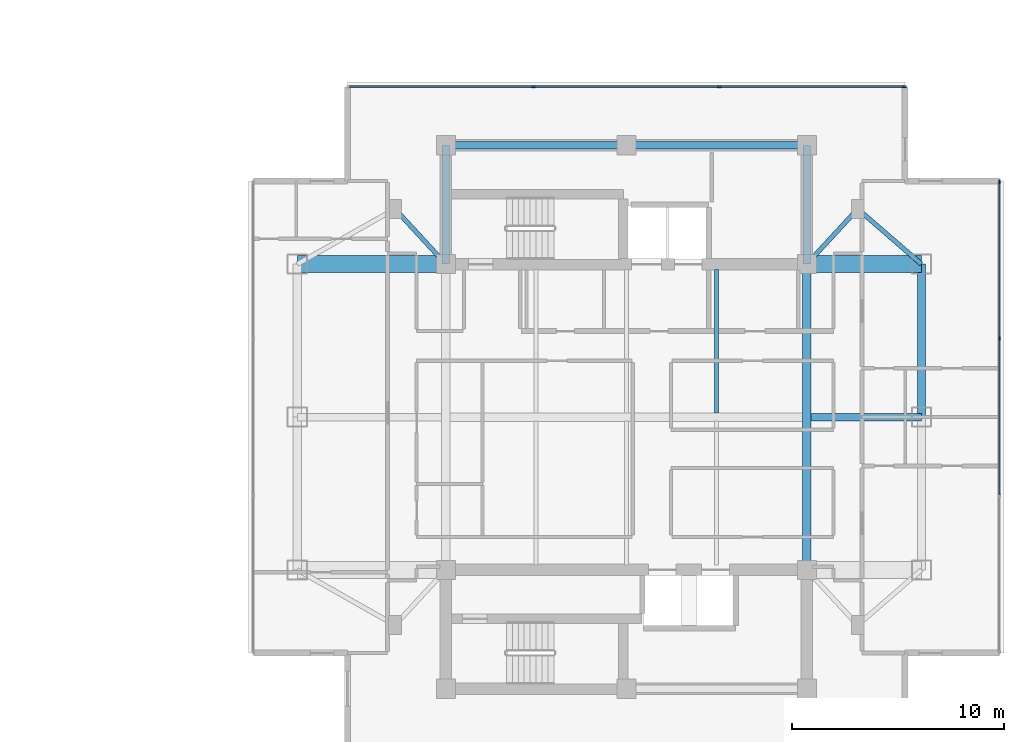
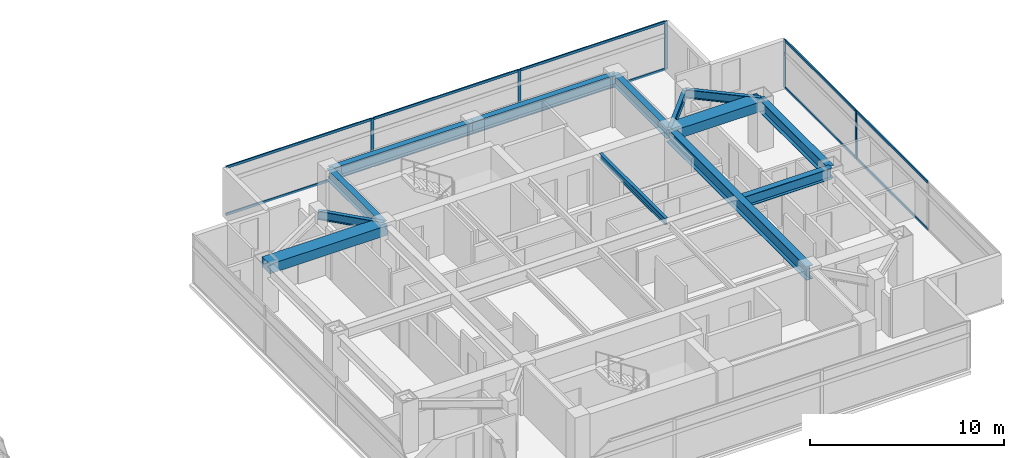
# One storey, part 10 of 24: 15 members, 13 beams, 2 elements without a shape of their own.
"""IFC4 building model written with IfcOpenShell, lengths in metres."""

from ifc_helpers import new_model, si_unit, direction, frame, origin, origin_2d, place, context, subcontext, project, spatial, rectangle, i_section, extrude, material, material_profile, profile_set, type_object, element, aggregate, save


model = new_model("IFC4")

# Units and contexts
model_context = context("Model", 3, precision=1e-05, world=origin(), true_north=direction((0.0, 1.0)))
body_context = subcontext(model_context, "Body", "Model", "MODEL_VIEW")
ifc_project = project(units=[si_unit("LENGTHUNIT", "METRE"), si_unit("AREAUNIT", "SQUARE_METRE"), si_unit("VOLUMEUNIT", "CUBIC_METRE"), si_unit("PLANEANGLEUNIT", "RADIAN"), si_unit("MASSUNIT", "GRAM", prefix="KILO")], contexts=[model_context])

# Site, building, storey
site_placement = place(None, origin())
site = spatial("IfcSite", under=ifc_project, at=site_placement, CompositionType="ELEMENT")
building_placement = place(site_placement, origin())
building = spatial("IfcBuilding", under=site, at=building_placement, Name="Mirazonda Arch Towers", CompositionType="ELEMENT")
storey_placement = place(building_placement, frame((0.0, 0.0, 199.89990234375)))
storey = spatial("IfcBuildingStorey", under=building, at=storey_placement, Name="L57", CompositionType="ELEMENT", Elevation=199.89990234375)

# Beams
ifc_material_1 = material(Name="Steel ASTM A992 Grade 50", Category="steel")
ifc_material_profile_1 = material_profile(ifc_material_1, i_section(OverallWidth=0.381103515625, OverallDepth=0.77294921875, WebThickness=0.0166015625, FlangeThickness=0.027099609375, at=origin_2d()), Name="W30X173")
ifc_profile_set_1 = profile_set([ifc_material_profile_1], Name="Steel ASTM A992 Grade 50")
beam_type_1 = type_object("IfcBeamType", Name="BM-EXT-W30X173", PredefinedType="USERDEFINED", material=ifc_profile_set_1)
beam_1_placement = place(storey_placement, frame((90.39990234375, 28.0, 2.66357421875), z_axis=(0.0, 1.0, 0.0), x_axis=(-1.0, 0.0, 0.0)))
element("IfcBeam", 1, at=beam_1_placement, inside=storey, type_object=beam_type_1, Name="L57 Floor Beam BM-T2-L57-NS-E-28", ObjectType="GIRDER", PredefinedType="USERDEFINED", context=body_context, shape_type="SweptSolid", body=[
    extrude(i_section(OverallWidth=0.381103515625, OverallDepth=0.77294921875, WebThickness=0.0166015625, FlangeThickness=0.027099609375, at=origin_2d()), origin(), (0.0, 0.0, 1.0), 7.199951171875),
])
ifc_material_profile_2 = material_profile(ifc_material_1, i_section(OverallWidth=0.180908203125, OverallDepth=0.4169921875, WebThickness=0.010986328125, FlangeThickness=0.018310546875, at=origin_2d()), Name="W16X57")
ifc_profile_set_2 = profile_set([ifc_material_profile_2], Name="Steel ASTM A992 Grade 50")
beam_type_2 = type_object("IfcBeamType", Name="BM-INT-W16X57", PredefinedType="JOIST", material=ifc_profile_set_2)
beam_2_placement = place(storey_placement, frame((80.75, 28.196044921875, 2.841552734375), z_axis=(0.0, 1.0, 0.0), x_axis=(-1.0, 0.0, 0.0)))
element("IfcBeam", 2, at=beam_2_placement, inside=storey, type_object=beam_type_2, Name="L57 Floor Beam BM-T2-L57-J-807-28", PredefinedType="JOIST", context=body_context, shape_type="SweptSolid", body=[
    extrude(i_section(OverallWidth=0.180908203125, OverallDepth=0.4169921875, WebThickness=0.010986328125, FlangeThickness=0.018310546875, at=origin_2d()), origin(), (0.0, 0.0, 1.0), 6.763916015625),
])
ifc_material_profile_3 = material_profile(ifc_material_1, i_section(OverallWidth=0.214111328125, OverallDepth=0.549072265625, WebThickness=0.0146484375, FlangeThickness=0.023681640625, at=origin_2d()), Name="W21X93")
ifc_profile_set_3 = profile_set([ifc_material_profile_3], Name="Steel ASTM A992 Grade 50")
beam_type_3 = type_object("IfcBeamType", Name="BM-INT-W21X93", PredefinedType="BEAM", material=ifc_profile_set_3)
for number, where, z_axis, x_axis, name in (
    (3, (65.60009765625, 37.800048828125, 2.775634765625), (0.678251444854, -0.734829897019, 0.0), (0.734829897019, 0.678251444854, 0.0), "L57 Floor Beam BM-T2-L57-PL-NW1"),
    (4, (87.39990234375, 37.800048828125, 2.775634765625), (-0.678251444854, -0.734829897019, 0.0), (0.734829897019, -0.678251444854, 0.0), "L57 Floor Beam BM-T2-L57-PL-NE1"),
):
    element("IfcBeam", number, at=place(storey_placement, frame(where, z_axis=z_axis, x_axis=x_axis)), inside=storey, type_object=beam_type_3, Name=name, PredefinedType="BEAM", context=body_context, shape_type="SweptSolid", body=[
        extrude(i_section(OverallWidth=0.214111328125, OverallDepth=0.549072265625, WebThickness=0.0146484375, FlangeThickness=0.023681640625, at=origin_2d()), origin(), (0.0, 0.0, 1.0), 3.538330078125),
    ])
beam_3_placement = place(storey_placement, frame((87.39990234375, 37.800048828125, 2.775634765625), z_axis=(0.755676908098, -0.654944585876, 0.0), x_axis=(0.654944585876, 0.755676908098, 0.0)))
element("IfcBeam", 5, at=beam_3_placement, inside=storey, type_object=beam_type_3, Name="L57 Floor Beam BM-T2-L57-PL-NE2", PredefinedType="BEAM", context=body_context, shape_type="SweptSolid", body=[
    extrude(i_section(OverallWidth=0.214111328125, OverallDepth=0.549072265625, WebThickness=0.0146484375, FlangeThickness=0.023681640625, at=origin_2d()), origin(), (0.0, 0.0, 1.0), 3.969970703125),
])
ifc_material_profile_4 = material_profile(ifc_material_1, i_section(OverallWidth=0.35498046875, OverallDepth=0.696044921875, WebThickness=0.015380859375, FlangeThickness=0.02490234375, at=origin_2d()), Name="W27X146")
ifc_profile_set_4 = profile_set([ifc_material_profile_4], Name="Steel ASTM A992 Grade 50")
beam_type_4 = type_object("IfcBeamType", Name="BM-INT-W27X146", PredefinedType="BEAM", material=ifc_profile_set_4)
for number, where, z_axis, x_axis, name in (
    (6, (68.0, 40.800048828125, 2.7021484375), (1.0, 0.0, 0.0), (0.0, 1.0, 0.0), "L57 Floor Beam BM-T2-L57-CN1"),
    (7, (76.5, 40.800048828125, 2.7021484375), (1.0, 0.0, 0.0), (0.0, 1.0, 0.0), "L57 Floor Beam BM-T2-L57-CN2"),
):
    element("IfcBeam", number, at=place(storey_placement, frame(where, z_axis=z_axis, x_axis=x_axis)), inside=storey, type_object=beam_type_4, Name=name, PredefinedType="BEAM", context=body_context, shape_type="SweptSolid", body=[
        extrude(i_section(OverallWidth=0.35498046875, OverallDepth=0.696044921875, WebThickness=0.015380859375, FlangeThickness=0.02490234375, at=origin_2d()), origin(), (0.0, 0.0, 1.0), 8.5),
    ])
for number, where, z_axis, x_axis, name in (
    (8, (68.0, 35.199951171875, 2.7021484375), (0.0, 1.0, 0.0), (-1.0, 0.0, 0.0), "L57 Floor Beam BM-T2-L57-CNW"),
    (9, (85.0, 35.199951171875, 2.7021484375), (0.0, 1.0, 0.0), (-1.0, 0.0, 0.0), "L57 Floor Beam BM-T2-L57-CNE"),
):
    element("IfcBeam", number, at=place(storey_placement, frame(where, z_axis=z_axis, x_axis=x_axis)), inside=storey, type_object=beam_type_4, Name=name, PredefinedType="BEAM", context=body_context, shape_type="SweptSolid", body=[
        extrude(i_section(OverallWidth=0.35498046875, OverallDepth=0.696044921875, WebThickness=0.015380859375, FlangeThickness=0.02490234375, at=origin_2d()), origin(), (0.0, 0.0, 1.0), 5.60009765625),
    ])
beam_4_placement = place(storey_placement, frame((85.199951171875, 28.0, 2.7021484375), z_axis=(1.0, 0.0, 0.0), x_axis=(0.0, 1.0, 0.0)))
element("IfcBeam", 10, at=beam_4_placement, inside=storey, type_object=beam_type_4, Name="L57 Floor Beam BM-T2-L57-GE2", PredefinedType="BEAM", context=body_context, shape_type="SweptSolid", body=[
    extrude(i_section(OverallWidth=0.35498046875, OverallDepth=0.696044921875, WebThickness=0.015380859375, FlangeThickness=0.02490234375, at=origin_2d()), origin(), (0.0, 0.0, 1.0), 5.199951171875),
])
ifc_material_profile_5 = material_profile(ifc_material_1, i_section(OverallWidth=0.39990234375, OverallDepth=0.85595703125, WebThickness=0.018310546875, FlangeThickness=0.029296875, at=origin_2d()), Name="W33X201")
ifc_profile_set_5 = profile_set([ifc_material_profile_5], Name="Steel ASTM A992 Grade 50")
beam_type_5 = type_object("IfcBeamType", Name="BM-INT-W33X201", PredefinedType="USERDEFINED", material=ifc_profile_set_5)
beam_5_placement = place(storey_placement, frame((85.0, 20.800048828125, 2.6220703125), z_axis=(0.0, 1.0, 0.0), x_axis=(-1.0, 0.0, 0.0)))
element("IfcBeam", 11, at=beam_5_placement, inside=storey, type_object=beam_type_5, Name="L57 Floor Beam BM-T2-L57-NS-CE-FULL", ObjectType="GIRDER", PredefinedType="USERDEFINED", context=body_context, shape_type="SweptSolid", body=[
    extrude(i_section(OverallWidth=0.39990234375, OverallDepth=0.85595703125, WebThickness=0.018310546875, FlangeThickness=0.029296875, at=origin_2d()), origin(), (0.0, 0.0, 1.0), 14.39990234375),
])
ifc_material_2 = material(Name="Concrete C60/75", Category="concrete")
ifc_material_profile_6 = material_profile(ifc_material_2, rectangle(XDim=0.800048828125, YDim=0.60009765625, at=origin_2d()), Name="RCCB800x600")
ifc_profile_set_6 = profile_set([ifc_material_profile_6], Name="Concrete C60/75")
beam_type_6 = type_object("IfcBeamType", Name="CB-INT-RCCB800x600", PredefinedType="SPANDREL", material=ifc_profile_set_6)
beam_6_placement = place(storey_placement, frame((61.0, 35.199951171875, 2.75), z_axis=(1.0, 0.0, 0.0), x_axis=(0.0, 1.0, 0.0)))
element("IfcBeam", 12, at=beam_6_placement, inside=storey, type_object=beam_type_6, Name="L57 Floor Beam CBC-T2-L57-NW", PredefinedType="SPANDREL", context=body_context, shape_type="SweptSolid", body=[
    extrude(rectangle(XDim=0.800048828125, YDim=0.60009765625, at=origin_2d()), origin(), (0.0, 0.0, 1.0), 7.0),
])
beam_7_placement = place(storey_placement, frame((85.0, 35.199951171875, 2.75), z_axis=(1.0, 0.0, 0.0), x_axis=(0.0, 1.0, 0.0)))
element("IfcBeam", 13, at=beam_7_placement, inside=storey, type_object=beam_type_6, Name="L57 Floor Beam CBC-T2-L57-NE", PredefinedType="SPANDREL", context=body_context, shape_type="SweptSolid", body=[
    extrude(rectangle(XDim=0.800048828125, YDim=0.60009765625, at=origin_2d()), origin(), (0.0, 0.0, 1.0), 5.39990234375),
])

# Curtain wall, members
ifc_material_3 = material(Name="Anodised Aluminium and Low-E Glass", Category="aluminium")
curtain_wall_type = type_object("IfcCurtainWallType", Name="CW-RES-UNIT", PredefinedType="NOTDEFINED", material=ifc_material_3)
curtain_wall_1_placement = place(storey_placement, origin())
curtain_wall_1 = element("IfcCurtainWall", 14, at=curtain_wall_1_placement, inside=storey, type_object=curtain_wall_type, Name="L57 T2 E Facade CW-L57-T2-E", PredefinedType="NOTDEFINED")
ifc_material_4 = material(Name="Anodised Aluminium Alloy", Category="aluminium")
ifc_material_profile_7 = material_profile(ifc_material_4, rectangle(XDim=0.074951171875, YDim=0.175048828125, at=origin_2d()), Name="ALU-MULL-75x175")
ifc_profile_set_7 = profile_set([ifc_material_profile_7], Name="Anodised Aluminium Alloy")
member_type_1 = type_object("IfcMemberType", Name="MULL-CW-RES-UNIT", PredefinedType="MULLION", material=ifc_profile_set_7)
member_1_placement = place(storey_placement, frame((94.0673828125, 31.705078125, 0.0), z_axis=(0.0, 0.0, 1.0), x_axis=(-1.0, 0.0, 0.0)))
member_1 = element("IfcMember", 15, at=member_1_placement, type_object=member_type_1, Name="CW-104 mullion 3", PredefinedType="MULLION", context=body_context, shape_type="SweptSolid", body=[
    extrude(rectangle(XDim=0.074951171875, YDim=0.175048828125, at=origin_2d()), origin(), (0.0, 0.0, 1.0), 3.030029296875),
])
member_2_placement = place(storey_placement, frame((94.0673828125, 39.077880859375, 0.0), z_axis=(0.0, 0.0, 1.0), x_axis=(-1.0, 0.0, 0.0)))
member_2 = element("IfcMember", 16, at=member_2_placement, type_object=member_type_1, Name="CW-104 mullion 4", PredefinedType="MULLION", context=body_context, shape_type="SweptSolid", body=[
    extrude(rectangle(XDim=0.074951171875, YDim=0.175048828125, at=origin_2d()), origin(), (0.0, 0.0, 1.0), 3.030029296875),
])

curtain_wall_2_placement = place(storey_placement, origin())
curtain_wall_2 = element("IfcCurtainWall", 17, at=curtain_wall_2_placement, inside=storey, type_object=curtain_wall_type, Name="L57 T2 N Facade CW-L57-T2-N", PredefinedType="NOTDEFINED")
member_3_placement = place(storey_placement, frame((72.1240234375, 43.554931640625, 0.0), z_axis=(0.0, 0.0, 1.0), x_axis=(0.0, 1.0, 0.0)))
member_3 = element("IfcMember", 18, at=member_3_placement, type_object=member_type_1, Name="CW-104 mullion 2", PredefinedType="MULLION", context=body_context, shape_type="SweptSolid", body=[
    extrude(rectangle(XDim=0.074951171875, YDim=0.175048828125, at=origin_2d()), origin(), (0.0, 0.0, 1.0), 3.030029296875),
])
member_4_placement = place(storey_placement, frame((80.8759765625, 43.554931640625, 0.0), z_axis=(0.0, 0.0, 1.0), x_axis=(0.0, 1.0, 0.0)))
member_4 = element("IfcMember", 19, at=member_4_placement, type_object=member_type_1, Name="CW-104 mullion 3", PredefinedType="MULLION", context=body_context, shape_type="SweptSolid", body=[
    extrude(rectangle(XDim=0.074951171875, YDim=0.175048828125, at=origin_2d()), origin(), (0.0, 0.0, 1.0), 3.030029296875),
])
member_5_placement = place(storey_placement, frame((89.59033203125, 43.554931640625, 0.0), z_axis=(0.0, 0.0, 1.0), x_axis=(0.0, 1.0, 0.0)))
member_5 = element("IfcMember", 20, at=member_5_placement, type_object=member_type_1, Name="CW-104 mullion 4", PredefinedType="MULLION", context=body_context, shape_type="SweptSolid", body=[
    extrude(rectangle(XDim=0.074951171875, YDim=0.175048828125, at=origin_2d()), origin(), (0.0, 0.0, 1.0), 3.030029296875),
])

# Member
ifc_material_profile_8 = material_profile(ifc_material_4, rectangle(XDim=0.074951171875, YDim=0.155029296875, at=origin_2d()), Name="ALU-TRAN-75x155")
ifc_profile_set_8 = profile_set([ifc_material_profile_8], Name="Anodised Aluminium Alloy")
member_type_2 = type_object("IfcMemberType", Name="TRAN-CW-RES-UNIT", PredefinedType="USERDEFINED", material=ifc_profile_set_8)
member_6_placement = place(storey_placement, frame((94.0673828125, 24.33251953125, 0.03759765625), z_axis=(0.0, 1.0, 0.0), x_axis=(-1.0, 0.0, 0.0)))
member_6 = element("IfcMember", 21, at=member_6_placement, type_object=member_type_2, Name="CW-104 transom 2.1", ObjectType="TRANSOM", PredefinedType="USERDEFINED", context=body_context, shape_type="SweptSolid", body=[
    extrude(rectangle(XDim=0.074951171875, YDim=0.155029296875, at=origin_2d()), origin(), (0.0, 0.0, 1.0), 7.3349609375),
])

member_7_placement = place(storey_placement, frame((94.0673828125, 24.33251953125, 2.99267578125), z_axis=(0.0, 1.0, 0.0), x_axis=(-1.0, 0.0, 0.0)))
member_7 = element("IfcMember", 22, at=member_7_placement, type_object=member_type_2, Name="CW-104 transom 2.2", ObjectType="TRANSOM", PredefinedType="USERDEFINED", context=body_context, shape_type="SweptSolid", body=[
    extrude(rectangle(XDim=0.074951171875, YDim=0.155029296875, at=origin_2d()), origin(), (0.0, 0.0, 1.0), 7.3349609375),
])

member_8_placement = place(storey_placement, frame((94.0673828125, 31.74267578125, 0.03759765625), z_axis=(0.0, 1.0, 0.0), x_axis=(-1.0, 0.0, 0.0)))
member_8 = element("IfcMember", 23, at=member_8_placement, type_object=member_type_2, Name="CW-104 transom 3.1", ObjectType="TRANSOM", PredefinedType="USERDEFINED", context=body_context, shape_type="SweptSolid", body=[
    extrude(rectangle(XDim=0.074951171875, YDim=0.155029296875, at=origin_2d()), origin(), (0.0, 0.0, 1.0), 7.297607421875),
])

member_9_placement = place(storey_placement, frame((94.0673828125, 31.74267578125, 2.99267578125), z_axis=(0.0, 1.0, 0.0), x_axis=(-1.0, 0.0, 0.0)))
member_9 = element("IfcMember", 24, at=member_9_placement, type_object=member_type_2, Name="CW-104 transom 3.2", ObjectType="TRANSOM", PredefinedType="USERDEFINED", context=body_context, shape_type="SweptSolid", body=[
    extrude(rectangle(XDim=0.074951171875, YDim=0.155029296875, at=origin_2d()), origin(), (0.0, 0.0, 1.0), 7.297607421875),
])

aggregate(curtain_wall_1, [member_1, member_2, member_6, member_7, member_8, member_9])

member_10_placement = place(storey_placement, frame((63.447265625, 43.554931640625, 0.03759765625), z_axis=(1.0, 0.0, 0.0), x_axis=(0.0, 1.0, 0.0)))
member_10 = element("IfcMember", 25, at=member_10_placement, type_object=member_type_2, Name="CW-104 transom 1.1", ObjectType="TRANSOM", PredefinedType="USERDEFINED", context=body_context, shape_type="SweptSolid", body=[
    extrude(rectangle(XDim=0.074951171875, YDim=0.155029296875, at=origin_2d()), origin(), (0.0, 0.0, 1.0), 8.639404296875),
])

member_11_placement = place(storey_placement, frame((63.447265625, 43.554931640625, 2.99267578125), z_axis=(1.0, 0.0, 0.0), x_axis=(0.0, 1.0, 0.0)))
member_11 = element("IfcMember", 26, at=member_11_placement, type_object=member_type_2, Name="CW-104 transom 1.2", ObjectType="TRANSOM", PredefinedType="USERDEFINED", context=body_context, shape_type="SweptSolid", body=[
    extrude(rectangle(XDim=0.074951171875, YDim=0.155029296875, at=origin_2d()), origin(), (0.0, 0.0, 1.0), 8.639404296875),
])

member_12_placement = place(storey_placement, frame((72.16162109375, 43.554931640625, 0.03759765625), z_axis=(1.0, 0.0, 0.0), x_axis=(0.0, 1.0, 0.0)))
member_12 = element("IfcMember", 27, at=member_12_placement, type_object=member_type_2, Name="CW-104 transom 2.1", ObjectType="TRANSOM", PredefinedType="USERDEFINED", context=body_context, shape_type="SweptSolid", body=[
    extrude(rectangle(XDim=0.074951171875, YDim=0.155029296875, at=origin_2d()), origin(), (0.0, 0.0, 1.0), 8.6767578125),
])

member_13_placement = place(storey_placement, frame((72.16162109375, 43.554931640625, 2.99267578125), z_axis=(1.0, 0.0, 0.0), x_axis=(0.0, 1.0, 0.0)))
member_13 = element("IfcMember", 28, at=member_13_placement, type_object=member_type_2, Name="CW-104 transom 2.2", ObjectType="TRANSOM", PredefinedType="USERDEFINED", context=body_context, shape_type="SweptSolid", body=[
    extrude(rectangle(XDim=0.074951171875, YDim=0.155029296875, at=origin_2d()), origin(), (0.0, 0.0, 1.0), 8.6767578125),
])

member_14_placement = place(storey_placement, frame((80.913330078125, 43.554931640625, 0.03759765625), z_axis=(1.0, 0.0, 0.0), x_axis=(0.0, 1.0, 0.0)))
member_14 = element("IfcMember", 29, at=member_14_placement, type_object=member_type_2, Name="CW-104 transom 3.1", ObjectType="TRANSOM", PredefinedType="USERDEFINED", context=body_context, shape_type="SweptSolid", body=[
    extrude(rectangle(XDim=0.074951171875, YDim=0.155029296875, at=origin_2d()), origin(), (0.0, 0.0, 1.0), 8.639404296875),
])

member_15_placement = place(storey_placement, frame((80.913330078125, 43.554931640625, 2.99267578125), z_axis=(1.0, 0.0, 0.0), x_axis=(0.0, 1.0, 0.0)))
member_15 = element("IfcMember", 30, at=member_15_placement, type_object=member_type_2, Name="CW-104 transom 3.2", ObjectType="TRANSOM", PredefinedType="USERDEFINED", context=body_context, shape_type="SweptSolid", body=[
    extrude(rectangle(XDim=0.074951171875, YDim=0.155029296875, at=origin_2d()), origin(), (0.0, 0.0, 1.0), 8.639404296875),
])

aggregate(curtain_wall_2, [member_3, member_4, member_5, member_10, member_11, member_12, member_13, member_14, member_15])

save(model, "model.ifc")
